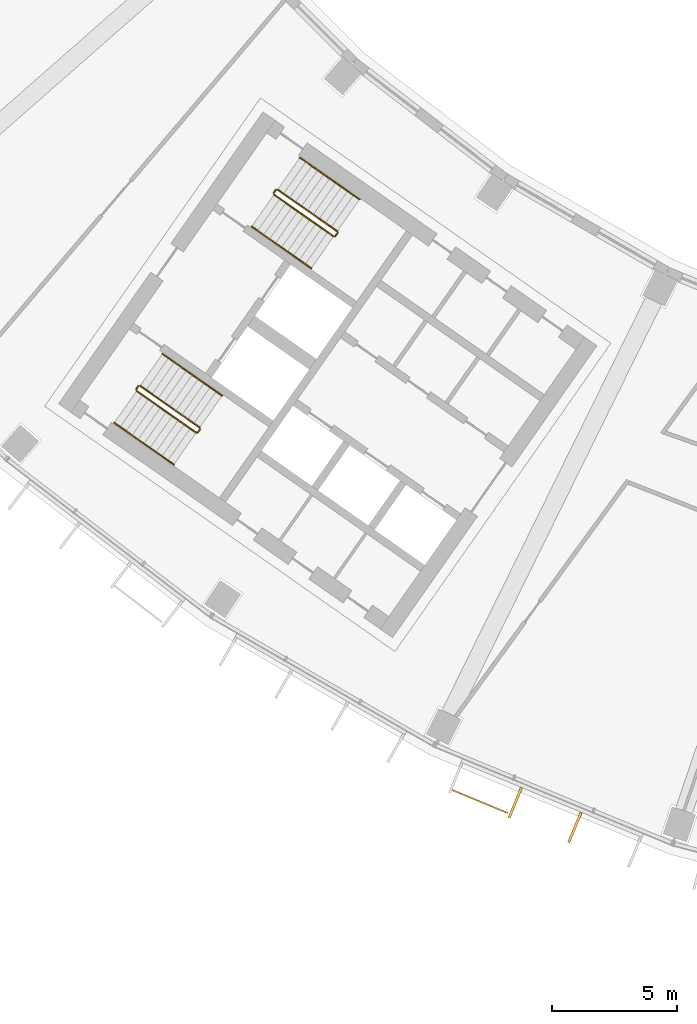
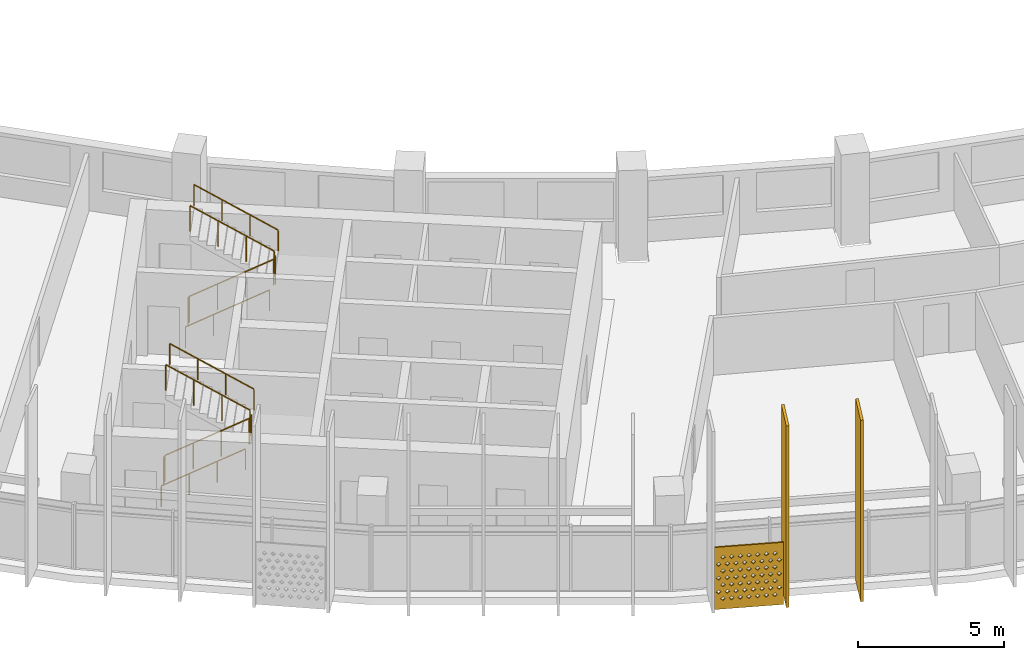
# One storey, part 23 of 30: 10 railings, 3 shading devices.
"""IFC4 building model written with IfcOpenShell, lengths in metres."""

import ifcopenshell
import ifcopenshell.guid

model = None  # the IFC model being written
_history = None  # IfcOwnerHistory: only IFC2X3 demands one
_inside = {}  # id of a spatial element -> (the spatial element, [elements in it])
_under = {}  # id of a project, library or spatial element -> (it, [spatial elements below it])
_declared = {}  # id of a project -> (the project, [libraries it declares])
_typed = {}  # id of a type object -> (the type object, [elements of that type])
_made_of = {}  # id of a material, layer set ... -> (it, [elements and type objects made of it])


def new_model(schema):
    """Start an empty IFC model of exactly this schema.

    Asked for "IFC4X3", IfcOpenShell would pick the latest addendum, in which some entities
    have other attributes; the version numbers below select the first issue.
    IFC2X3 requires an IfcOwnerHistory on every rooted entity: one is made here for all.
    """
    global model, _history
    if schema == "IFC4X3":
        model = ifcopenshell.file(schema_version=(4, 3, 0, 0))
    else:
        model = ifcopenshell.file(schema=schema)
    _inside.clear()
    _under.clear()
    _declared.clear()
    _typed.clear()
    _made_of.clear()
    _history = None
    if model.schema == "IFC2X3":
        org = make("IfcOrganization", Name="unknown")
        user = make(
            "IfcPersonAndOrganization",
            ThePerson=make("IfcPerson", FamilyName="unknown"),
            TheOrganization=org,
        )
        app = make(
            "IfcApplication",
            ApplicationDeveloper=org,
            Version="unknown",
            ApplicationFullName="unknown",
            ApplicationIdentifier="unknown",
        )
        _history = make(
            "IfcOwnerHistory",
            OwningUser=user,
            OwningApplication=app,
            ChangeAction="ADDED",
            CreationDate=0,
        )
    return model


def make(cls, **values):
    """One entity of the class cls with the attributes given. An attribute that is None is left unset."""
    return model.create_entity(
        cls, **{name: value for name, value in values.items() if value is not None}
    )


def rooted(cls, **values):
    """An entity with a GlobalId (a new one), such as an element, a storey or a relation."""
    return make(cls, GlobalId=ifcopenshell.guid.new(), OwnerHistory=_history, **values)


def si_unit(unit_type, name, prefix=None):
    """IfcSIUnit, for example si_unit("LENGTHUNIT", "METRE", prefix="MILLI")."""
    return make("IfcSIUnit", UnitType=unit_type, Prefix=prefix, Name=name)


def assignment(units):
    """IfcUnitAssignment: the units of a project."""
    return None if units is None else make("IfcUnitAssignment", Units=units)


def point(xyz):
    """IfcCartesianPoint."""
    return None if xyz is None else make("IfcCartesianPoint", Coordinates=xyz)


def direction(xyz):
    """IfcDirection."""
    return None if xyz is None else make("IfcDirection", DirectionRatios=xyz)


def frame(location, z_axis=None, x_axis=None):
    """IfcAxis2Placement3D, a coordinate frame: its origin and axes. An axis left out is left unset."""
    return make(
        "IfcAxis2Placement3D",
        Location=point(location),
        Axis=direction(z_axis),
        RefDirection=direction(x_axis),
    )


def frame_2d(location, x_axis=None):
    """IfcAxis2Placement2D, a coordinate frame in the plane: its origin and x axis."""
    return make(
        "IfcAxis2Placement2D", Location=point(location), RefDirection=direction(x_axis)
    )


def origin():
    """The frame at (0, 0, 0) with its axes left unset."""
    return frame((0.0, 0.0, 0.0))


def origin_2d():
    """The frame at (0, 0) in the plane with its x axis left unset."""
    return frame_2d((0.0, 0.0))


def place(relative_to, where):
    """IfcLocalPlacement: puts the frame where relative to a parent placement (None: the world)."""
    return make(
        "IfcLocalPlacement", PlacementRelTo=relative_to, RelativePlacement=where
    )


def context(
    kind, dimensions, precision=None, world=None, true_north=None, identifier=None
):
    """IfcGeometricRepresentationContext, for example the 3D "Model" context."""
    return make(
        "IfcGeometricRepresentationContext",
        ContextIdentifier=identifier,
        ContextType=kind,
        CoordinateSpaceDimension=dimensions,
        Precision=precision,
        WorldCoordinateSystem=world,
        TrueNorth=true_north,
    )


def subcontext(parent, identifier, kind, view, scale=None):
    """IfcGeometricRepresentationSubContext, for example "Body" below "Model"."""
    return make(
        "IfcGeometricRepresentationSubContext",
        ContextIdentifier=identifier,
        ContextType=kind,
        ParentContext=parent,
        TargetScale=scale,
        TargetView=view,
    )


def project(units=None, contexts=None):
    """IfcProject with its units and contexts."""
    return rooted(
        "IfcProject",
        Name="project",
        RepresentationContexts=contexts,
        UnitsInContext=assignment(units),
    )


def spatial(cls, under=None, at=None, **own):
    """A site, building, storey or space (cls), placed at a placement, below another one or the project."""
    s = rooted(cls, ObjectPlacement=at, **own)
    if under is not None:
        _under.setdefault(under.id(), (under, []))[1].append(s)
    return s


def polyline(points):
    """IfcPolyline through the points."""
    return make("IfcPolyline", Points=[point(p) for p in points])


def profile(cls, at=None, kind="AREA", **sizes):
    """A parametric profile (cls). Its sizes go by their IFC names, for example OverallWidth=200.0."""
    return make(cls, ProfileType=kind, Position=at, **sizes)


def rectangle(**sizes):
    """IfcRectangleProfileDef."""
    return profile("IfcRectangleProfileDef", **sizes)


def circle(**sizes):
    """IfcCircleProfileDef."""
    return profile("IfcCircleProfileDef", **sizes)


def outline(outer, holes=None, kind="AREA"):
    """IfcArbitraryClosedProfileDef: a profile drawn as a closed curve; with holes, ...WithVoids."""
    if holes is None:
        return make("IfcArbitraryClosedProfileDef", ProfileType=kind, OuterCurve=outer)
    return make(
        "IfcArbitraryProfileDefWithVoids",
        ProfileType=kind,
        OuterCurve=outer,
        InnerCurves=holes,
    )


def extrude(swept, where, along, depth):
    """IfcExtrudedAreaSolid: the profile swept, set in the frame where, extruded along a direction by depth."""
    return make(
        "IfcExtrudedAreaSolid",
        SweptArea=swept,
        Position=where,
        ExtrudedDirection=direction(along),
        Depth=depth,
    )


def shape(context_of_items, identifier, shape_type, items):
    """IfcShapeRepresentation: the items that make up one representation, for example the "Body"."""
    return make(
        "IfcShapeRepresentation",
        ContextOfItems=context_of_items,
        RepresentationIdentifier=identifier,
        RepresentationType=shape_type,
        Items=items,
    )


def material(Name=None, Category=None):
    """IfcMaterial."""
    return make("IfcMaterial", Name=Name, Category=Category)


def material_profile(
    of_material, cross_section, Name=None, Category=None, Priority=None
):
    """IfcMaterialProfile: a cross section and its material."""
    return make(
        "IfcMaterialProfile",
        Name=Name,
        Material=of_material,
        Profile=cross_section,
        Priority=Priority,
        Category=Category,
    )


def profile_set(profiles, Name=None, composite=None):
    """IfcMaterialProfileSet."""
    return make(
        "IfcMaterialProfileSet",
        Name=Name,
        MaterialProfiles=profiles,
        CompositeProfile=composite,
    )


def made_of(thing, what):
    """Note that an element or type object is made of a material, layer set ...; save() writes the relation."""
    if what is not None:
        _made_of.setdefault(what.id(), (what, []))[1].append(thing)
    return thing


def type_object(cls, material=None, **own):
    """A type object (cls), such as IfcWallType, which elements share."""
    return made_of(rooted(cls, **own), material)


def element(
    cls,
    number,
    at=None,
    inside=None,
    cuts=None,
    type_object=None,
    material=None,
    context=None,
    identifier="Body",
    shape_type=None,
    held_by="IfcProductDefinitionShape",
    body=None,
    shapes=None,
    **own,
):
    """One element of the class cls, such as IfcWall. Its Tag is "e" and its number.

    at: its placement. inside: the storey or other place that contains it. cuts: it is an
    opening in that element (IfcRelVoidsElement). A single representation is given by context,
    identifier, shape_type and body (its items); several are given by shapes. held_by: the class
    of the entity that holds the representations. save() writes the other relations.
    """
    e = rooted(cls, Tag="e%d" % number, ObjectPlacement=at, **own)
    if body is not None:
        shapes = [shape(context, identifier, shape_type, body)]
    if shapes is not None:
        e.Representation = make(held_by, Representations=shapes)
    if inside is not None:
        _inside.setdefault(inside.id(), (inside, []))[1].append(e)
    if cuts is not None:
        rooted(
            "IfcRelVoidsElement", RelatingBuildingElement=cuts, RelatedOpeningElement=e
        )
    if type_object is not None:
        _typed.setdefault(type_object.id(), (type_object, []))[1].append(e)
    return made_of(e, material)


def aggregate(whole, parts):
    """IfcRelAggregates: a whole, such as a stair, and the parts it consists of."""
    return rooted("IfcRelAggregates", RelatingObject=whole, RelatedObjects=parts)


def save(model, path):
    """Write the relations noted so far, then the file.

    IfcRelAggregates (storeys below a building ...), IfcRelContainedInSpatialStructure (elements
    in a storey), IfcRelDefinesByType, IfcRelAssociatesMaterial and IfcRelDeclares: one each for
    every whole, place, type object, material and project.
    """
    for whole, parts in _under.values():
        aggregate(whole, parts)
    for where, things in _inside.values():
        rooted(
            "IfcRelContainedInSpatialStructure",
            RelatedElements=things,
            RelatingStructure=where,
        )
    for kind, things in _typed.values():
        rooted("IfcRelDefinesByType", RelatedObjects=things, RelatingType=kind)
    for what, things in _made_of.values():
        rooted("IfcRelAssociatesMaterial", RelatedObjects=things, RelatingMaterial=what)
    for by, libraries in _declared.values():
        rooted("IfcRelDeclares", RelatingContext=by, RelatedDefinitions=libraries)
    model.write(path)


model = new_model("IFC4")

# Units and contexts
model_context = context("Model", 3, precision=1e-05, world=origin(), true_north=direction((0.0, 1.0)))
body_context = subcontext(model_context, "Body", "Model", "MODEL_VIEW")
ifc_project = project(units=[si_unit("LENGTHUNIT", "METRE"), si_unit("AREAUNIT", "SQUARE_METRE"), si_unit("VOLUMEUNIT", "CUBIC_METRE"), si_unit("PLANEANGLEUNIT", "RADIAN"), si_unit("MASSUNIT", "GRAM", prefix="KILO")], contexts=[model_context])

# Site, building, storey
site_placement = place(None, origin())
site = spatial("IfcSite", under=ifc_project, at=site_placement, CompositionType="ELEMENT")
building_placement = place(site_placement, origin())
building = spatial("IfcBuilding", under=site, at=building_placement, Name="Qamariyya Broadcast Tower", CompositionType="ELEMENT")
storey_placement = place(building_placement, frame((0.0, 0.0, 203.699951171875)))
storey = spatial("IfcBuildingStorey", under=building, at=storey_placement, Name="L48", CompositionType="ELEMENT", Elevation=203.699951171875)

# Shading device
ifc_material_1 = material(Name="Perforated glazed terracotta", Category="masonry")
ifc_material_profile_1 = material_profile(ifc_material_1, outline(polyline([(-1.199951171875, -1.300048828125), (1.199951171875, -1.300048828125), (1.199951171875, 1.300048828125), (-1.199951171875, 1.300048828125), (-1.199951171875, -1.300048828125)]), holes=[polyline([(-0.81494140625, -0.86669921875), (-0.89990234375, -0.78173828125), (-0.985107421875, -0.86669921875), (-0.89990234375, -0.95166015625), (-0.81494140625, -0.86669921875)]), polyline([(-0.514892578125, -0.86669921875), (-0.60009765625, -0.78173828125), (-0.68505859375, -0.86669921875), (-0.60009765625, -0.95166015625), (-0.514892578125, -0.86669921875)]), polyline([(-0.215087890625, -0.86669921875), (-0.300048828125, -0.78173828125), (-0.385009765625, -0.86669921875), (-0.300048828125, -0.95166015625), (-0.215087890625, -0.86669921875)]), polyline([(0.0849609375, -0.86669921875), (0.0, -0.78173828125), (-0.0849609375, -0.86669921875), (0.0, -0.95166015625), (0.0849609375, -0.86669921875)]), polyline([(0.385009765625, -0.86669921875), (0.300048828125, -0.78173828125), (0.215087890625, -0.86669921875), (0.300048828125, -0.95166015625), (0.385009765625, -0.86669921875)]), polyline([(0.68505859375, -0.86669921875), (0.60009765625, -0.78173828125), (0.514892578125, -0.86669921875), (0.60009765625, -0.95166015625), (0.68505859375, -0.86669921875)]), polyline([(0.985107421875, -0.86669921875), (0.89990234375, -0.78173828125), (0.81494140625, -0.86669921875), (0.89990234375, -0.95166015625), (0.985107421875, -0.86669921875)]), polyline([(-0.965087890625, -0.577880859375), (-1.050048828125, -0.49267578125), (-1.135009765625, -0.577880859375), (-1.050048828125, -0.662841796875), (-0.965087890625, -0.577880859375)]), polyline([(-0.6650390625, -0.577880859375), (-0.75, -0.49267578125), (-0.8349609375, -0.577880859375), (-0.75, -0.662841796875), (-0.6650390625, -0.577880859375)]), polyline([(-0.364990234375, -0.577880859375), (-0.449951171875, -0.49267578125), (-0.534912109375, -0.577880859375), (-0.449951171875, -0.662841796875), (-0.364990234375, -0.577880859375)]), polyline([(-0.06494140625, -0.577880859375), (-0.14990234375, -0.49267578125), (-0.235107421875, -0.577880859375), (-0.14990234375, -0.662841796875), (-0.06494140625, -0.577880859375)]), polyline([(0.235107421875, -0.577880859375), (0.14990234375, -0.49267578125), (0.06494140625, -0.577880859375), (0.14990234375, -0.662841796875), (0.235107421875, -0.577880859375)]), polyline([(0.534912109375, -0.577880859375), (0.449951171875, -0.49267578125), (0.364990234375, -0.577880859375), (0.449951171875, -0.662841796875), (0.534912109375, -0.577880859375)]), polyline([(0.8349609375, -0.577880859375), (0.75, -0.49267578125), (0.6650390625, -0.577880859375), (0.75, -0.662841796875), (0.8349609375, -0.577880859375)]), polyline([(1.135009765625, -0.577880859375), (1.050048828125, -0.49267578125), (0.965087890625, -0.577880859375), (1.050048828125, -0.662841796875), (1.135009765625, -0.577880859375)]), polyline([(-0.81494140625, -0.288818359375), (-0.89990234375, -0.203857421875), (-0.985107421875, -0.288818359375), (-0.89990234375, -0.373779296875), (-0.81494140625, -0.288818359375)]), polyline([(-0.514892578125, -0.288818359375), (-0.60009765625, -0.203857421875), (-0.68505859375, -0.288818359375), (-0.60009765625, -0.373779296875), (-0.514892578125, -0.288818359375)]), polyline([(-0.215087890625, -0.288818359375), (-0.300048828125, -0.203857421875), (-0.385009765625, -0.288818359375), (-0.300048828125, -0.373779296875), (-0.215087890625, -0.288818359375)]), polyline([(0.0849609375, -0.288818359375), (0.0, -0.203857421875), (-0.0849609375, -0.288818359375), (0.0, -0.373779296875), (0.0849609375, -0.288818359375)]), polyline([(0.385009765625, -0.288818359375), (0.300048828125, -0.203857421875), (0.215087890625, -0.288818359375), (0.300048828125, -0.373779296875), (0.385009765625, -0.288818359375)]), polyline([(0.68505859375, -0.288818359375), (0.60009765625, -0.203857421875), (0.514892578125, -0.288818359375), (0.60009765625, -0.373779296875), (0.68505859375, -0.288818359375)]), polyline([(0.985107421875, -0.288818359375), (0.89990234375, -0.203857421875), (0.81494140625, -0.288818359375), (0.89990234375, -0.373779296875), (0.985107421875, -0.288818359375)]), polyline([(-0.965087890625, 0.0), (-1.050048828125, 0.0849609375), (-1.135009765625, 0.0), (-1.050048828125, -0.0849609375), (-0.965087890625, 0.0)]), polyline([(-0.6650390625, 0.0), (-0.75, 0.0849609375), (-0.8349609375, 0.0), (-0.75, -0.0849609375), (-0.6650390625, 0.0)]), polyline([(-0.364990234375, 0.0), (-0.449951171875, 0.0849609375), (-0.534912109375, 0.0), (-0.449951171875, -0.0849609375), (-0.364990234375, 0.0)]), polyline([(-0.06494140625, 0.0), (-0.14990234375, 0.0849609375), (-0.235107421875, 0.0), (-0.14990234375, -0.0849609375), (-0.06494140625, 0.0)]), polyline([(0.235107421875, 0.0), (0.14990234375, 0.0849609375), (0.06494140625, 0.0), (0.14990234375, -0.0849609375), (0.235107421875, 0.0)]), polyline([(0.534912109375, 0.0), (0.449951171875, 0.0849609375), (0.364990234375, 0.0), (0.449951171875, -0.0849609375), (0.534912109375, 0.0)]), polyline([(0.8349609375, 0.0), (0.75, 0.0849609375), (0.6650390625, 0.0), (0.75, -0.0849609375), (0.8349609375, 0.0)]), polyline([(1.135009765625, 0.0), (1.050048828125, 0.0849609375), (0.965087890625, 0.0), (1.050048828125, -0.0849609375), (1.135009765625, 0.0)]), polyline([(-0.81494140625, 0.288818359375), (-0.89990234375, 0.373779296875), (-0.985107421875, 0.288818359375), (-0.89990234375, 0.203857421875), (-0.81494140625, 0.288818359375)]), polyline([(-0.514892578125, 0.288818359375), (-0.60009765625, 0.373779296875), (-0.68505859375, 0.288818359375), (-0.60009765625, 0.203857421875), (-0.514892578125, 0.288818359375)]), polyline([(-0.215087890625, 0.288818359375), (-0.300048828125, 0.373779296875), (-0.385009765625, 0.288818359375), (-0.300048828125, 0.203857421875), (-0.215087890625, 0.288818359375)]), polyline([(0.0849609375, 0.288818359375), (0.0, 0.373779296875), (-0.0849609375, 0.288818359375), (0.0, 0.203857421875), (0.0849609375, 0.288818359375)]), polyline([(0.385009765625, 0.288818359375), (0.300048828125, 0.373779296875), (0.215087890625, 0.288818359375), (0.300048828125, 0.203857421875), (0.385009765625, 0.288818359375)]), polyline([(0.68505859375, 0.288818359375), (0.60009765625, 0.373779296875), (0.514892578125, 0.288818359375), (0.60009765625, 0.203857421875), (0.68505859375, 0.288818359375)]), polyline([(0.985107421875, 0.288818359375), (0.89990234375, 0.373779296875), (0.81494140625, 0.288818359375), (0.89990234375, 0.203857421875), (0.985107421875, 0.288818359375)]), polyline([(-0.965087890625, 0.577880859375), (-1.050048828125, 0.662841796875), (-1.135009765625, 0.577880859375), (-1.050048828125, 0.49267578125), (-0.965087890625, 0.577880859375)]), polyline([(-0.6650390625, 0.577880859375), (-0.75, 0.662841796875), (-0.8349609375, 0.577880859375), (-0.75, 0.49267578125), (-0.6650390625, 0.577880859375)]), polyline([(-0.364990234375, 0.577880859375), (-0.449951171875, 0.662841796875), (-0.534912109375, 0.577880859375), (-0.449951171875, 0.49267578125), (-0.364990234375, 0.577880859375)]), polyline([(-0.06494140625, 0.577880859375), (-0.14990234375, 0.662841796875), (-0.235107421875, 0.577880859375), (-0.14990234375, 0.49267578125), (-0.06494140625, 0.577880859375)]), polyline([(0.235107421875, 0.577880859375), (0.14990234375, 0.662841796875), (0.06494140625, 0.577880859375), (0.14990234375, 0.49267578125), (0.235107421875, 0.577880859375)]), polyline([(0.534912109375, 0.577880859375), (0.449951171875, 0.662841796875), (0.364990234375, 0.577880859375), (0.449951171875, 0.49267578125), (0.534912109375, 0.577880859375)]), polyline([(0.8349609375, 0.577880859375), (0.75, 0.662841796875), (0.6650390625, 0.577880859375), (0.75, 0.49267578125), (0.8349609375, 0.577880859375)]), polyline([(1.135009765625, 0.577880859375), (1.050048828125, 0.662841796875), (0.965087890625, 0.577880859375), (1.050048828125, 0.49267578125), (1.135009765625, 0.577880859375)]), polyline([(-0.81494140625, 0.86669921875), (-0.89990234375, 0.95166015625), (-0.985107421875, 0.86669921875), (-0.89990234375, 0.78173828125), (-0.81494140625, 0.86669921875)]), polyline([(-0.514892578125, 0.86669921875), (-0.60009765625, 0.95166015625), (-0.68505859375, 0.86669921875), (-0.60009765625, 0.78173828125), (-0.514892578125, 0.86669921875)]), polyline([(-0.215087890625, 0.86669921875), (-0.300048828125, 0.95166015625), (-0.385009765625, 0.86669921875), (-0.300048828125, 0.78173828125), (-0.215087890625, 0.86669921875)]), polyline([(0.0849609375, 0.86669921875), (0.0, 0.95166015625), (-0.0849609375, 0.86669921875), (0.0, 0.78173828125), (0.0849609375, 0.86669921875)]), polyline([(0.385009765625, 0.86669921875), (0.300048828125, 0.95166015625), (0.215087890625, 0.86669921875), (0.300048828125, 0.78173828125), (0.385009765625, 0.86669921875)]), polyline([(0.68505859375, 0.86669921875), (0.60009765625, 0.95166015625), (0.514892578125, 0.86669921875), (0.60009765625, 0.78173828125), (0.68505859375, 0.86669921875)]), polyline([(0.985107421875, 0.86669921875), (0.89990234375, 0.95166015625), (0.81494140625, 0.86669921875), (0.89990234375, 0.78173828125), (0.985107421875, 0.86669921875)])]))
ifc_profile_set_1 = profile_set([ifc_material_profile_1], Name="Perforated glazed terracotta")
shading_device_type_1 = type_object("IfcShadingDeviceType", Name="Perforated terracotta screen 2400 x 2600", PredefinedType="USERDEFINED", material=ifc_profile_set_1)
shading_device_placement = place(storey_placement, frame((-32.928955078125, -72.682861328125, 1.35009765625), z_axis=(-0.382591441855, -0.923917630863, 0.0), x_axis=(0.923917630863, -0.382591441855, 0.0)))
element("IfcShadingDevice", 1, at=shading_device_placement, inside=storey, type_object=shading_device_type_1, Name="e-scr-L48-05-0", ObjectType="SCREEN", PredefinedType="USERDEFINED", context=body_context, shape_type="SweptSolid", body=[
    extrude(outline(polyline([(-1.199951171875, -1.300048828125), (1.199951171875, -1.300048828125), (1.199951171875, 1.300048828125), (-1.199951171875, 1.300048828125), (-1.199951171875, -1.300048828125)]), holes=[polyline([(-0.81494140625, -0.86669921875), (-0.89990234375, -0.78173828125), (-0.985107421875, -0.86669921875), (-0.89990234375, -0.95166015625), (-0.81494140625, -0.86669921875)]), polyline([(-0.514892578125, -0.86669921875), (-0.60009765625, -0.78173828125), (-0.68505859375, -0.86669921875), (-0.60009765625, -0.95166015625), (-0.514892578125, -0.86669921875)]), polyline([(-0.215087890625, -0.86669921875), (-0.300048828125, -0.78173828125), (-0.385009765625, -0.86669921875), (-0.300048828125, -0.95166015625), (-0.215087890625, -0.86669921875)]), polyline([(0.0849609375, -0.86669921875), (0.0, -0.78173828125), (-0.0849609375, -0.86669921875), (0.0, -0.95166015625), (0.0849609375, -0.86669921875)]), polyline([(0.385009765625, -0.86669921875), (0.300048828125, -0.78173828125), (0.215087890625, -0.86669921875), (0.300048828125, -0.95166015625), (0.385009765625, -0.86669921875)]), polyline([(0.68505859375, -0.86669921875), (0.60009765625, -0.78173828125), (0.514892578125, -0.86669921875), (0.60009765625, -0.95166015625), (0.68505859375, -0.86669921875)]), polyline([(0.985107421875, -0.86669921875), (0.89990234375, -0.78173828125), (0.81494140625, -0.86669921875), (0.89990234375, -0.95166015625), (0.985107421875, -0.86669921875)]), polyline([(-0.965087890625, -0.577880859375), (-1.050048828125, -0.49267578125), (-1.135009765625, -0.577880859375), (-1.050048828125, -0.662841796875), (-0.965087890625, -0.577880859375)]), polyline([(-0.6650390625, -0.577880859375), (-0.75, -0.49267578125), (-0.8349609375, -0.577880859375), (-0.75, -0.662841796875), (-0.6650390625, -0.577880859375)]), polyline([(-0.364990234375, -0.577880859375), (-0.449951171875, -0.49267578125), (-0.534912109375, -0.577880859375), (-0.449951171875, -0.662841796875), (-0.364990234375, -0.577880859375)]), polyline([(-0.06494140625, -0.577880859375), (-0.14990234375, -0.49267578125), (-0.235107421875, -0.577880859375), (-0.14990234375, -0.662841796875), (-0.06494140625, -0.577880859375)]), polyline([(0.235107421875, -0.577880859375), (0.14990234375, -0.49267578125), (0.06494140625, -0.577880859375), (0.14990234375, -0.662841796875), (0.235107421875, -0.577880859375)]), polyline([(0.534912109375, -0.577880859375), (0.449951171875, -0.49267578125), (0.364990234375, -0.577880859375), (0.449951171875, -0.662841796875), (0.534912109375, -0.577880859375)]), polyline([(0.8349609375, -0.577880859375), (0.75, -0.49267578125), (0.6650390625, -0.577880859375), (0.75, -0.662841796875), (0.8349609375, -0.577880859375)]), polyline([(1.135009765625, -0.577880859375), (1.050048828125, -0.49267578125), (0.965087890625, -0.577880859375), (1.050048828125, -0.662841796875), (1.135009765625, -0.577880859375)]), polyline([(-0.81494140625, -0.288818359375), (-0.89990234375, -0.203857421875), (-0.985107421875, -0.288818359375), (-0.89990234375, -0.373779296875), (-0.81494140625, -0.288818359375)]), polyline([(-0.514892578125, -0.288818359375), (-0.60009765625, -0.203857421875), (-0.68505859375, -0.288818359375), (-0.60009765625, -0.373779296875), (-0.514892578125, -0.288818359375)]), polyline([(-0.215087890625, -0.288818359375), (-0.300048828125, -0.203857421875), (-0.385009765625, -0.288818359375), (-0.300048828125, -0.373779296875), (-0.215087890625, -0.288818359375)]), polyline([(0.0849609375, -0.288818359375), (0.0, -0.203857421875), (-0.0849609375, -0.288818359375), (0.0, -0.373779296875), (0.0849609375, -0.288818359375)]), polyline([(0.385009765625, -0.288818359375), (0.300048828125, -0.203857421875), (0.215087890625, -0.288818359375), (0.300048828125, -0.373779296875), (0.385009765625, -0.288818359375)]), polyline([(0.68505859375, -0.288818359375), (0.60009765625, -0.203857421875), (0.514892578125, -0.288818359375), (0.60009765625, -0.373779296875), (0.68505859375, -0.288818359375)]), polyline([(0.985107421875, -0.288818359375), (0.89990234375, -0.203857421875), (0.81494140625, -0.288818359375), (0.89990234375, -0.373779296875), (0.985107421875, -0.288818359375)]), polyline([(-0.965087890625, 0.0), (-1.050048828125, 0.0849609375), (-1.135009765625, 0.0), (-1.050048828125, -0.0849609375), (-0.965087890625, 0.0)]), polyline([(-0.6650390625, 0.0), (-0.75, 0.0849609375), (-0.8349609375, 0.0), (-0.75, -0.0849609375), (-0.6650390625, 0.0)]), polyline([(-0.364990234375, 0.0), (-0.449951171875, 0.0849609375), (-0.534912109375, 0.0), (-0.449951171875, -0.0849609375), (-0.364990234375, 0.0)]), polyline([(-0.06494140625, 0.0), (-0.14990234375, 0.0849609375), (-0.235107421875, 0.0), (-0.14990234375, -0.0849609375), (-0.06494140625, 0.0)]), polyline([(0.235107421875, 0.0), (0.14990234375, 0.0849609375), (0.06494140625, 0.0), (0.14990234375, -0.0849609375), (0.235107421875, 0.0)]), polyline([(0.534912109375, 0.0), (0.449951171875, 0.0849609375), (0.364990234375, 0.0), (0.449951171875, -0.0849609375), (0.534912109375, 0.0)]), polyline([(0.8349609375, 0.0), (0.75, 0.0849609375), (0.6650390625, 0.0), (0.75, -0.0849609375), (0.8349609375, 0.0)]), polyline([(1.135009765625, 0.0), (1.050048828125, 0.0849609375), (0.965087890625, 0.0), (1.050048828125, -0.0849609375), (1.135009765625, 0.0)]), polyline([(-0.81494140625, 0.288818359375), (-0.89990234375, 0.373779296875), (-0.985107421875, 0.288818359375), (-0.89990234375, 0.203857421875), (-0.81494140625, 0.288818359375)]), polyline([(-0.514892578125, 0.288818359375), (-0.60009765625, 0.373779296875), (-0.68505859375, 0.288818359375), (-0.60009765625, 0.203857421875), (-0.514892578125, 0.288818359375)]), polyline([(-0.215087890625, 0.288818359375), (-0.300048828125, 0.373779296875), (-0.385009765625, 0.288818359375), (-0.300048828125, 0.203857421875), (-0.215087890625, 0.288818359375)]), polyline([(0.0849609375, 0.288818359375), (0.0, 0.373779296875), (-0.0849609375, 0.288818359375), (0.0, 0.203857421875), (0.0849609375, 0.288818359375)]), polyline([(0.385009765625, 0.288818359375), (0.300048828125, 0.373779296875), (0.215087890625, 0.288818359375), (0.300048828125, 0.203857421875), (0.385009765625, 0.288818359375)]), polyline([(0.68505859375, 0.288818359375), (0.60009765625, 0.373779296875), (0.514892578125, 0.288818359375), (0.60009765625, 0.203857421875), (0.68505859375, 0.288818359375)]), polyline([(0.985107421875, 0.288818359375), (0.89990234375, 0.373779296875), (0.81494140625, 0.288818359375), (0.89990234375, 0.203857421875), (0.985107421875, 0.288818359375)]), polyline([(-0.965087890625, 0.577880859375), (-1.050048828125, 0.662841796875), (-1.135009765625, 0.577880859375), (-1.050048828125, 0.49267578125), (-0.965087890625, 0.577880859375)]), polyline([(-0.6650390625, 0.577880859375), (-0.75, 0.662841796875), (-0.8349609375, 0.577880859375), (-0.75, 0.49267578125), (-0.6650390625, 0.577880859375)]), polyline([(-0.364990234375, 0.577880859375), (-0.449951171875, 0.662841796875), (-0.534912109375, 0.577880859375), (-0.449951171875, 0.49267578125), (-0.364990234375, 0.577880859375)]), polyline([(-0.06494140625, 0.577880859375), (-0.14990234375, 0.662841796875), (-0.235107421875, 0.577880859375), (-0.14990234375, 0.49267578125), (-0.06494140625, 0.577880859375)]), polyline([(0.235107421875, 0.577880859375), (0.14990234375, 0.662841796875), (0.06494140625, 0.577880859375), (0.14990234375, 0.49267578125), (0.235107421875, 0.577880859375)]), polyline([(0.534912109375, 0.577880859375), (0.449951171875, 0.662841796875), (0.364990234375, 0.577880859375), (0.449951171875, 0.49267578125), (0.534912109375, 0.577880859375)]), polyline([(0.8349609375, 0.577880859375), (0.75, 0.662841796875), (0.6650390625, 0.577880859375), (0.75, 0.49267578125), (0.8349609375, 0.577880859375)]), polyline([(1.135009765625, 0.577880859375), (1.050048828125, 0.662841796875), (0.965087890625, 0.577880859375), (1.050048828125, 0.49267578125), (1.135009765625, 0.577880859375)]), polyline([(-0.81494140625, 0.86669921875), (-0.89990234375, 0.95166015625), (-0.985107421875, 0.86669921875), (-0.89990234375, 0.78173828125), (-0.81494140625, 0.86669921875)]), polyline([(-0.514892578125, 0.86669921875), (-0.60009765625, 0.95166015625), (-0.68505859375, 0.86669921875), (-0.60009765625, 0.78173828125), (-0.514892578125, 0.86669921875)]), polyline([(-0.215087890625, 0.86669921875), (-0.300048828125, 0.95166015625), (-0.385009765625, 0.86669921875), (-0.300048828125, 0.78173828125), (-0.215087890625, 0.86669921875)]), polyline([(0.0849609375, 0.86669921875), (0.0, 0.95166015625), (-0.0849609375, 0.86669921875), (0.0, 0.78173828125), (0.0849609375, 0.86669921875)]), polyline([(0.385009765625, 0.86669921875), (0.300048828125, 0.95166015625), (0.215087890625, 0.86669921875), (0.300048828125, 0.78173828125), (0.385009765625, 0.86669921875)]), polyline([(0.68505859375, 0.86669921875), (0.60009765625, 0.95166015625), (0.514892578125, 0.86669921875), (0.60009765625, 0.78173828125), (0.68505859375, 0.86669921875)]), polyline([(0.985107421875, 0.86669921875), (0.89990234375, 0.95166015625), (0.81494140625, 0.86669921875), (0.89990234375, 0.78173828125), (0.985107421875, 0.86669921875)])]), origin(), (0.0, 0.0, 1.0), 0.06005859375),
])

# Railings
ifc_material_2 = material(Name="Painted steel", Category="steel")
railing_type_1 = type_object("IfcRailingType", Name="Stair guard", PredefinedType="GUARDRAIL", material=ifc_material_2)
railing_1_placement = place(storey_placement, frame((-41.146728515625, -48.52490234375, 0.1728515625)))
element("IfcRailing", 2, at=railing_1_placement, inside=storey, type_object=railing_type_1, Name="L48 ST-W2 stair guard 1", PredefinedType="GUARDRAIL", context=body_context, shape_type="SweptSolid", body=[
    extrude(circle(Radius=0.02392578125, at=origin_2d()), frame((0.0, 0.0, 1.076171875), z_axis=(0.703770094002, -0.492783725636, 0.511734163933), x_axis=(0.573575343427, 0.819152809562, 0.0)), (0.0, 0.0, 1.0), 3.37548828125),
    extrude(circle(Radius=0.02392578125, at=origin_2d()), frame((2.37548828125, -1.663330078125, 2.80322265625), z_axis=(0.985059694769, 0.172213233351, 0.0), x_axis=(-0.172213233351, 0.985059694769, 0.0)), (0.0, 0.0, 1.0), 0.07080078125),
    extrude(circle(Radius=0.02392578125, at=origin_2d()), frame((2.4453125, -1.651123046875, 2.80322265625), z_axis=(0.572588637393, 0.819842821722, 0.0), x_axis=(-0.819842821722, 0.572588637393, 0.0)), (0.0, 0.0, 1.0), 0.150146484375),
    extrude(circle(Radius=0.02099609375, at=origin_2d()), origin(), (0.0, 0.0, 1.0), 1.052001953125),
    extrude(circle(Radius=0.02099609375, at=origin_2d()), frame((0.791748046875, -0.554443359375, 0.57568359375)), (0.0, 0.0, 1.0), 1.052001953125),
    extrude(circle(Radius=0.02099609375, at=origin_2d()), frame((1.583740234375, -1.10888671875, 1.151611328125)), (0.0, 0.0, 1.0), 1.052001953125),
    extrude(circle(Radius=0.02099609375, at=origin_2d()), frame((2.37548828125, -1.663330078125, 1.727294921875)), (0.0, 0.0, 1.0), 1.052001953125),
    extrude(circle(Radius=0.02099609375, at=origin_2d()), frame((2.4453125, -1.651123046875, 1.727294921875)), (0.0, 0.0, 1.0), 1.052001953125),
    extrude(circle(Radius=0.02099609375, at=origin_2d()), frame((2.53125, -1.528076171875, 1.727294921875)), (0.0, 0.0, 1.0), 1.052001953125),
])
railing_2_placement = place(storey_placement, frame((-38.627685546875, -49.9833984375, 2.07275390625)))
element("IfcRailing", 3, at=railing_2_placement, inside=storey, type_object=railing_type_1, Name="L48 ST-W2 stair guard 2", PredefinedType="GUARDRAIL", context=body_context, shape_type="SweptSolid", body=[
    extrude(circle(Radius=0.02392578125, at=origin_2d()), frame((0.0, 0.0, 1.076171875), z_axis=(-0.703770094002, 0.492783725636, 0.511734163933), x_axis=(-0.573575343427, -0.819152809562, 0.0)), (0.0, 0.0, 1.0), 3.37548828125),
    extrude(circle(Radius=0.02099609375, at=origin_2d()), origin(), (0.0, 0.0, 1.0), 1.052001953125),
    extrude(circle(Radius=0.02099609375, at=origin_2d()), frame((-0.791748046875, 0.554443359375, 0.57568359375)), (0.0, 0.0, 1.0), 1.052001953125),
    extrude(circle(Radius=0.02099609375, at=origin_2d()), frame((-1.583740234375, 1.10888671875, 1.151611328125)), (0.0, 0.0, 1.0), 1.052001953125),
    extrude(circle(Radius=0.02099609375, at=origin_2d()), frame((-2.37548828125, 1.663330078125, 1.727294921875)), (0.0, 0.0, 1.0), 1.052001953125),
])
railing_3_placement = place(storey_placement, frame((-41.158935546875, -48.455322265625, 0.0)))
element("IfcRailing", 4, at=railing_3_placement, inside=storey, type_object=railing_type_1, Name="L48 ST-W2 stair guard 3", PredefinedType="GUARDRAIL", context=body_context, shape_type="SweptSolid", body=[
    extrude(circle(Radius=0.02392578125, at=origin_2d()), frame((0.0, 0.0, 1.076171875), z_axis=(0.572588637393, 0.819842821722, 0.0), x_axis=(-0.819842821722, 0.572588637393, 0.0)), (0.0, 0.0, 1.0), 0.150146484375),
    extrude(circle(Radius=0.02099609375, at=origin_2d()), origin(), (0.0, 0.0, 1.0), 1.052001953125),
    extrude(circle(Radius=0.02099609375, at=origin_2d()), frame((0.0859375, 0.123046875, 0.0)), (0.0, 0.0, 1.0), 1.052001953125),
])
railing_4_placement = place(storey_placement, frame((-46.624267578125, -56.34765625, 0.1728515625)))
element("IfcRailing", 5, at=railing_4_placement, inside=storey, type_object=railing_type_1, Name="L48 ST-W1 stair guard 1", PredefinedType="GUARDRAIL", context=body_context, shape_type="SweptSolid", body=[
    extrude(circle(Radius=0.02392578125, at=origin_2d()), frame((0.0, 0.0, 1.076171875), z_axis=(0.703745009021, -0.492838488332, 0.511715923826), x_axis=(0.573631830683, 0.819113253969, 0.0)), (0.0, 0.0, 1.0), 3.37548828125),
    extrude(circle(Radius=0.02392578125, at=origin_2d()), frame((2.37548828125, -1.66357421875, 2.80322265625), z_axis=(0.984363469884, 0.176149252506, 0.0), x_axis=(-0.176149252506, 0.984363469884, 0.0)), (0.0, 0.0, 1.0), 0.07080078125),
    extrude(circle(Radius=0.02392578125, at=origin_2d()), frame((2.445068359375, -1.651123046875, 2.80322265625), z_axis=(0.574444878118, 0.818543268254, 0.0), x_axis=(-0.818543268254, 0.574444878118, 0.0)), (0.0, 0.0, 1.0), 0.150146484375),
    extrude(circle(Radius=0.02099609375, at=origin_2d()), origin(), (0.0, 0.0, 1.0), 1.052001953125),
    extrude(circle(Radius=0.02099609375, at=origin_2d()), frame((0.791748046875, -0.554443359375, 0.57568359375)), (0.0, 0.0, 1.0), 1.052001953125),
    extrude(circle(Radius=0.02099609375, at=origin_2d()), frame((1.583740234375, -1.109130859375, 1.151611328125)), (0.0, 0.0, 1.0), 1.052001953125),
    extrude(circle(Radius=0.02099609375, at=origin_2d()), frame((2.37548828125, -1.66357421875, 1.727294921875)), (0.0, 0.0, 1.0), 1.052001953125),
    extrude(circle(Radius=0.02099609375, at=origin_2d()), frame((2.445068359375, -1.651123046875, 1.727294921875)), (0.0, 0.0, 1.0), 1.052001953125),
    extrude(circle(Radius=0.02099609375, at=origin_2d()), frame((2.53125, -1.5283203125, 1.727294921875)), (0.0, 0.0, 1.0), 1.052001953125),
])
railing_5_placement = place(storey_placement, frame((-44.10546875, -57.806396484375, 2.07275390625)))
element("IfcRailing", 6, at=railing_5_placement, inside=storey, type_object=railing_type_1, Name="L48 ST-W1 stair guard 2", PredefinedType="GUARDRAIL", context=body_context, shape_type="SweptSolid", body=[
    extrude(circle(Radius=0.02392578125, at=origin_2d()), frame((0.0, 0.0, 1.076171875), z_axis=(-0.703770094002, 0.492783725636, 0.511734163933), x_axis=(-0.573575343427, -0.819152809562, 0.0)), (0.0, 0.0, 1.0), 3.37548828125),
    extrude(circle(Radius=0.02099609375, at=origin_2d()), origin(), (0.0, 0.0, 1.0), 1.052001953125),
    extrude(circle(Radius=0.02099609375, at=origin_2d()), frame((-0.791748046875, 0.554443359375, 0.57568359375)), (0.0, 0.0, 1.0), 1.052001953125),
    extrude(circle(Radius=0.02099609375, at=origin_2d()), frame((-1.583740234375, 1.10888671875, 1.151611328125)), (0.0, 0.0, 1.0), 1.052001953125),
    extrude(circle(Radius=0.02099609375, at=origin_2d()), frame((-2.37548828125, 1.663330078125, 1.727294921875)), (0.0, 0.0, 1.0), 1.052001953125),
])
railing_6_placement = place(storey_placement, frame((-46.63671875, -56.278076171875, 0.0)))
element("IfcRailing", 7, at=railing_6_placement, inside=storey, type_object=railing_type_1, Name="L48 ST-W1 stair guard 3", PredefinedType="GUARDRAIL", context=body_context, shape_type="SweptSolid", body=[
    extrude(circle(Radius=0.02392578125, at=origin_2d()), frame((0.0, 0.0, 1.076171875), z_axis=(0.574444878118, 0.818543268254, 0.0), x_axis=(-0.818543268254, 0.574444878118, 0.0)), (0.0, 0.0, 1.0), 0.150146484375),
    extrude(circle(Radius=0.02099609375, at=origin_2d()), origin(), (0.0, 0.0, 1.0), 1.052001953125),
    extrude(circle(Radius=0.02099609375, at=origin_2d()), frame((0.086181640625, 0.122802734375, 0.0)), (0.0, 0.0, 1.0), 1.052001953125),
])
ifc_material_3 = material(Name="Stainless steel", Category="steel")
railing_type_2 = type_object("IfcRailingType", Name="Stair handrail", PredefinedType="HANDRAIL", material=ifc_material_3)
railing_7_placement = place(storey_placement, frame((-42.03564453125, -49.79443359375, 0.1728515625)))
element("IfcRailing", 8, at=railing_7_placement, inside=storey, type_object=railing_type_2, Name="L48 ST-W2 stair handrail 1", PredefinedType="HANDRAIL", context=body_context, shape_type="SweptSolid", body=[
    extrude(circle(Radius=0.02392578125, at=origin_2d()), frame((0.0, 0.0, 0.8759765625), z_axis=(0.703745009021, -0.492838488332, 0.511715923826), x_axis=(0.573631830683, 0.819113253969, 0.0)), (0.0, 0.0, 1.0), 3.37548828125),
    extrude(circle(Radius=0.02099609375, at=origin_2d()), origin(), (0.0, 0.0, 1.0), 0.851806640625),
    extrude(circle(Radius=0.02099609375, at=origin_2d()), frame((0.791748046875, -0.554443359375, 0.57568359375)), (0.0, 0.0, 1.0), 0.851806640625),
    extrude(circle(Radius=0.02099609375, at=origin_2d()), frame((1.583740234375, -1.109130859375, 1.151611328125)), (0.0, 0.0, 1.0), 0.851806640625),
    extrude(circle(Radius=0.02099609375, at=origin_2d()), frame((2.37548828125, -1.66357421875, 1.727294921875)), (0.0, 0.0, 1.0), 0.851806640625),
])
railing_8_placement = place(storey_placement, frame((-37.73876953125, -48.7138671875, 2.07275390625)))
element("IfcRailing", 9, at=railing_8_placement, inside=storey, type_object=railing_type_2, Name="L48 ST-W2 stair handrail 2", PredefinedType="HANDRAIL", context=body_context, shape_type="SweptSolid", body=[
    extrude(circle(Radius=0.02392578125, at=origin_2d()), frame((0.0, 0.0, 0.8759765625), z_axis=(-0.703745009021, 0.492838488332, 0.511715923826), x_axis=(-0.573631830683, -0.819113253969, 0.0)), (0.0, 0.0, 1.0), 3.37548828125),
    extrude(circle(Radius=0.02099609375, at=origin_2d()), origin(), (0.0, 0.0, 1.0), 0.851806640625),
    extrude(circle(Radius=0.02099609375, at=origin_2d()), frame((-0.791748046875, 0.554443359375, 0.57568359375)), (0.0, 0.0, 1.0), 0.851806640625),
    extrude(circle(Radius=0.02099609375, at=origin_2d()), frame((-1.583740234375, 1.109130859375, 1.151611328125)), (0.0, 0.0, 1.0), 0.851806640625),
    extrude(circle(Radius=0.02099609375, at=origin_2d()), frame((-2.37548828125, 1.66357421875, 1.727294921875)), (0.0, 0.0, 1.0), 0.851806640625),
])
railing_9_placement = place(storey_placement, frame((-47.513427734375, -57.617431640625, 0.1728515625)))
element("IfcRailing", 10, at=railing_9_placement, inside=storey, type_object=railing_type_2, Name="L48 ST-W1 stair handrail 1", PredefinedType="HANDRAIL", context=body_context, shape_type="SweptSolid", body=[
    extrude(circle(Radius=0.02392578125, at=origin_2d()), frame((0.0, 0.0, 0.8759765625), z_axis=(0.703770094002, -0.492783725636, 0.511734163933), x_axis=(0.573575343427, 0.819152809562, 0.0)), (0.0, 0.0, 1.0), 3.37548828125),
    extrude(circle(Radius=0.02099609375, at=origin_2d()), origin(), (0.0, 0.0, 1.0), 0.851806640625),
    extrude(circle(Radius=0.02099609375, at=origin_2d()), frame((0.791748046875, -0.554443359375, 0.57568359375)), (0.0, 0.0, 1.0), 0.851806640625),
    extrude(circle(Radius=0.02099609375, at=origin_2d()), frame((1.583740234375, -1.10888671875, 1.151611328125)), (0.0, 0.0, 1.0), 0.851806640625),
    extrude(circle(Radius=0.02099609375, at=origin_2d()), frame((2.37548828125, -1.663330078125, 1.727294921875)), (0.0, 0.0, 1.0), 0.851806640625),
])
railing_10_placement = place(storey_placement, frame((-43.21630859375, -56.53662109375, 2.07275390625)))
element("IfcRailing", 11, at=railing_10_placement, inside=storey, type_object=railing_type_2, Name="L48 ST-W1 stair handrail 2", PredefinedType="HANDRAIL", context=body_context, shape_type="SweptSolid", body=[
    extrude(circle(Radius=0.02392578125, at=origin_2d()), frame((0.0, 0.0, 0.8759765625), z_axis=(-0.703770094002, 0.492783725636, 0.511734163933), x_axis=(-0.573575343427, -0.819152809562, 0.0)), (0.0, 0.0, 1.0), 3.37548828125),
    extrude(circle(Radius=0.02099609375, at=origin_2d()), origin(), (0.0, 0.0, 1.0), 0.851806640625),
    extrude(circle(Radius=0.02099609375, at=origin_2d()), frame((-0.791748046875, 0.554443359375, 0.57568359375)), (0.0, 0.0, 1.0), 0.851806640625),
    extrude(circle(Radius=0.02099609375, at=origin_2d()), frame((-1.583740234375, 1.10888671875, 1.151611328125)), (0.0, 0.0, 1.0), 0.851806640625),
    extrude(circle(Radius=0.02099609375, at=origin_2d()), frame((-2.37548828125, 1.663330078125, 1.727294921875)), (0.0, 0.0, 1.0), 0.851806640625),
])

# Shading devices
ifc_material_4 = material(Name="Glazed terracotta", Category="masonry")
ifc_material_profile_2 = material_profile(ifc_material_4, rectangle(XDim=1.300048828125, YDim=0.10009765625, at=origin_2d()))
ifc_profile_set_2 = profile_set([ifc_material_profile_2], Name="Glazed terracotta")
shading_device_type_2 = type_object("IfcShadingDeviceType", Name="Terracotta fin 100 x 1300", PredefinedType="USERDEFINED", material=ifc_profile_set_2)
for number, where, z_axis, x_axis, name in (
    (12, (-31.52783203125, -72.754638671875, 0.0), (0.0, 0.0, 1.0), (-0.382683432365, -0.923879532511, 0.0), "e-fin-L48-05-1"),
    (13, (-29.151611328125, -73.73876953125, 0.0), (0.0, 0.0, 1.0), (-0.382683432365, -0.923879532511, 0.0), "e-fin-L48-05-2"),
):
    element("IfcShadingDevice", number, at=place(storey_placement, frame(where, z_axis=z_axis, x_axis=x_axis)), inside=storey, type_object=shading_device_type_2, Name=name, ObjectType="FIN", PredefinedType="USERDEFINED", context=body_context, shape_type="SweptSolid", body=[
        extrude(rectangle(XDim=1.300048828125, YDim=0.10009765625, at=origin_2d()), origin(), (0.0, 0.0, 1.0), 7.60009765625),
    ])

save(model, "model.ifc")
